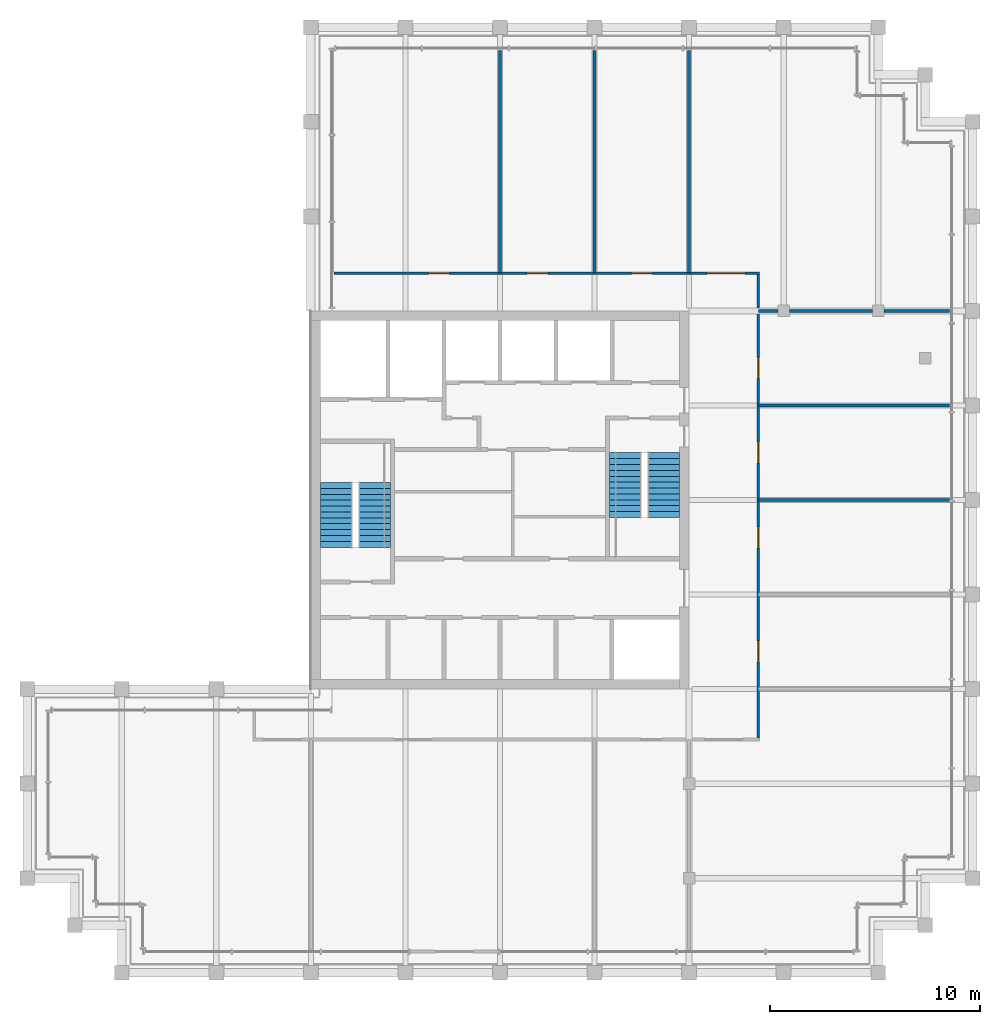
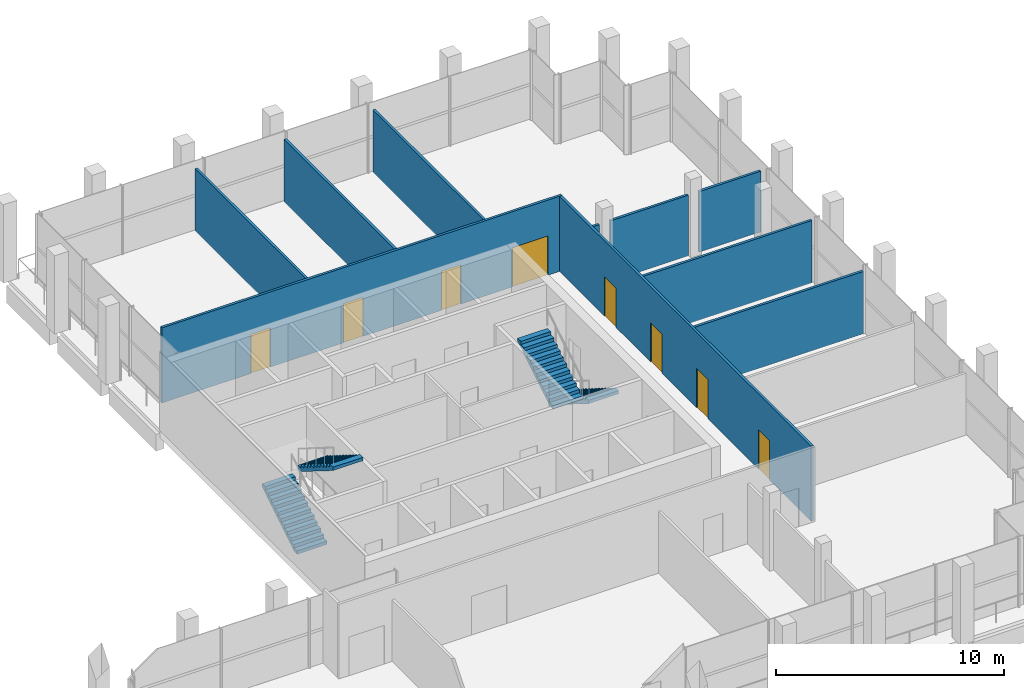
# One storey, part 16 of 17: 10 walls, 8 doors, 4 stair flights, 8 openings, 2 elements without a shape of their own.
"""IFC4 building model written with IfcOpenShell, lengths in metres."""

import ifcopenshell
import ifcopenshell.guid

model = None  # the IFC model being written
_history = None  # IfcOwnerHistory: only IFC2X3 demands one
_inside = {}  # id of a spatial element -> (the spatial element, [elements in it])
_under = {}  # id of a project, library or spatial element -> (it, [spatial elements below it])
_declared = {}  # id of a project -> (the project, [libraries it declares])
_typed = {}  # id of a type object -> (the type object, [elements of that type])
_made_of = {}  # id of a material, layer set ... -> (it, [elements and type objects made of it])


def new_model(schema):
    """Start an empty IFC model of exactly this schema.

    Asked for "IFC4X3", IfcOpenShell would pick the latest addendum, in which some entities
    have other attributes; the version numbers below select the first issue.
    IFC2X3 requires an IfcOwnerHistory on every rooted entity: one is made here for all.
    """
    global model, _history
    if schema == "IFC4X3":
        model = ifcopenshell.file(schema_version=(4, 3, 0, 0))
    else:
        model = ifcopenshell.file(schema=schema)
    _inside.clear()
    _under.clear()
    _declared.clear()
    _typed.clear()
    _made_of.clear()
    _history = None
    if model.schema == "IFC2X3":
        org = make("IfcOrganization", Name="unknown")
        user = make(
            "IfcPersonAndOrganization",
            ThePerson=make("IfcPerson", FamilyName="unknown"),
            TheOrganization=org,
        )
        app = make(
            "IfcApplication",
            ApplicationDeveloper=org,
            Version="unknown",
            ApplicationFullName="unknown",
            ApplicationIdentifier="unknown",
        )
        _history = make(
            "IfcOwnerHistory",
            OwningUser=user,
            OwningApplication=app,
            ChangeAction="ADDED",
            CreationDate=0,
        )
    return model


def make(cls, **values):
    """One entity of the class cls with the attributes given. An attribute that is None is left unset."""
    return model.create_entity(
        cls, **{name: value for name, value in values.items() if value is not None}
    )


def rooted(cls, **values):
    """An entity with a GlobalId (a new one), such as an element, a storey or a relation."""
    return make(cls, GlobalId=ifcopenshell.guid.new(), OwnerHistory=_history, **values)


def si_unit(unit_type, name, prefix=None):
    """IfcSIUnit, for example si_unit("LENGTHUNIT", "METRE", prefix="MILLI")."""
    return make("IfcSIUnit", UnitType=unit_type, Prefix=prefix, Name=name)


def assignment(units):
    """IfcUnitAssignment: the units of a project."""
    return None if units is None else make("IfcUnitAssignment", Units=units)


def point(xyz):
    """IfcCartesianPoint."""
    return None if xyz is None else make("IfcCartesianPoint", Coordinates=xyz)


def direction(xyz):
    """IfcDirection."""
    return None if xyz is None else make("IfcDirection", DirectionRatios=xyz)


def frame(location, z_axis=None, x_axis=None):
    """IfcAxis2Placement3D, a coordinate frame: its origin and axes. An axis left out is left unset."""
    return make(
        "IfcAxis2Placement3D",
        Location=point(location),
        Axis=direction(z_axis),
        RefDirection=direction(x_axis),
    )


def frame_2d(location, x_axis=None):
    """IfcAxis2Placement2D, a coordinate frame in the plane: its origin and x axis."""
    return make(
        "IfcAxis2Placement2D", Location=point(location), RefDirection=direction(x_axis)
    )


def origin():
    """The frame at (0, 0, 0) with its axes left unset."""
    return frame((0.0, 0.0, 0.0))


def place(relative_to, where):
    """IfcLocalPlacement: puts the frame where relative to a parent placement (None: the world)."""
    return make(
        "IfcLocalPlacement", PlacementRelTo=relative_to, RelativePlacement=where
    )


def context(
    kind, dimensions, precision=None, world=None, true_north=None, identifier=None
):
    """IfcGeometricRepresentationContext, for example the 3D "Model" context."""
    return make(
        "IfcGeometricRepresentationContext",
        ContextIdentifier=identifier,
        ContextType=kind,
        CoordinateSpaceDimension=dimensions,
        Precision=precision,
        WorldCoordinateSystem=world,
        TrueNorth=true_north,
    )


def subcontext(parent, identifier, kind, view, scale=None):
    """IfcGeometricRepresentationSubContext, for example "Body" below "Model"."""
    return make(
        "IfcGeometricRepresentationSubContext",
        ContextIdentifier=identifier,
        ContextType=kind,
        ParentContext=parent,
        TargetScale=scale,
        TargetView=view,
    )


def project(units=None, contexts=None):
    """IfcProject with its units and contexts."""
    return rooted(
        "IfcProject",
        Name="project",
        RepresentationContexts=contexts,
        UnitsInContext=assignment(units),
    )


def spatial(cls, under=None, at=None, **own):
    """A site, building, storey or space (cls), placed at a placement, below another one or the project."""
    s = rooted(cls, ObjectPlacement=at, **own)
    if under is not None:
        _under.setdefault(under.id(), (under, []))[1].append(s)
    return s


def polyline(points):
    """IfcPolyline through the points."""
    return make("IfcPolyline", Points=[point(p) for p in points])


def profile(cls, at=None, kind="AREA", **sizes):
    """A parametric profile (cls). Its sizes go by their IFC names, for example OverallWidth=200.0."""
    return make(cls, ProfileType=kind, Position=at, **sizes)


def rectangle(**sizes):
    """IfcRectangleProfileDef."""
    return profile("IfcRectangleProfileDef", **sizes)


def outline(outer, holes=None, kind="AREA"):
    """IfcArbitraryClosedProfileDef: a profile drawn as a closed curve; with holes, ...WithVoids."""
    if holes is None:
        return make("IfcArbitraryClosedProfileDef", ProfileType=kind, OuterCurve=outer)
    return make(
        "IfcArbitraryProfileDefWithVoids",
        ProfileType=kind,
        OuterCurve=outer,
        InnerCurves=holes,
    )


def extrude(swept, where, along, depth):
    """IfcExtrudedAreaSolid: the profile swept, set in the frame where, extruded along a direction by depth."""
    return make(
        "IfcExtrudedAreaSolid",
        SweptArea=swept,
        Position=where,
        ExtrudedDirection=direction(along),
        Depth=depth,
    )


def shape(context_of_items, identifier, shape_type, items):
    """IfcShapeRepresentation: the items that make up one representation, for example the "Body"."""
    return make(
        "IfcShapeRepresentation",
        ContextOfItems=context_of_items,
        RepresentationIdentifier=identifier,
        RepresentationType=shape_type,
        Items=items,
    )


def material(Name=None, Category=None):
    """IfcMaterial."""
    return make("IfcMaterial", Name=Name, Category=Category)


def layer(
    of_material, thickness, ventilated=None, Name=None, Category=None, Priority=None
):
    """IfcMaterialLayer: one layer of a wall or slab, of a material (None: an air gap)."""
    return make(
        "IfcMaterialLayer",
        Material=of_material,
        LayerThickness=thickness,
        IsVentilated=ventilated,
        Name=Name,
        Category=Category,
        Priority=Priority,
    )


def layer_set(layers, Name=None):
    """IfcMaterialLayerSet."""
    return make("IfcMaterialLayerSet", MaterialLayers=layers, LayerSetName=Name)


def made_of(thing, what):
    """Note that an element or type object is made of a material, layer set ...; save() writes the relation."""
    if what is not None:
        _made_of.setdefault(what.id(), (what, []))[1].append(thing)
    return thing


def type_object(cls, material=None, **own):
    """A type object (cls), such as IfcWallType, which elements share."""
    return made_of(rooted(cls, **own), material)


def element(
    cls,
    number,
    at=None,
    inside=None,
    cuts=None,
    type_object=None,
    material=None,
    context=None,
    identifier="Body",
    shape_type=None,
    held_by="IfcProductDefinitionShape",
    body=None,
    shapes=None,
    **own,
):
    """One element of the class cls, such as IfcWall. Its Tag is "e" and its number.

    at: its placement. inside: the storey or other place that contains it. cuts: it is an
    opening in that element (IfcRelVoidsElement). A single representation is given by context,
    identifier, shape_type and body (its items); several are given by shapes. held_by: the class
    of the entity that holds the representations. save() writes the other relations.
    """
    e = rooted(cls, Tag="e%d" % number, ObjectPlacement=at, **own)
    if body is not None:
        shapes = [shape(context, identifier, shape_type, body)]
    if shapes is not None:
        e.Representation = make(held_by, Representations=shapes)
    if inside is not None:
        _inside.setdefault(inside.id(), (inside, []))[1].append(e)
    if cuts is not None:
        rooted(
            "IfcRelVoidsElement", RelatingBuildingElement=cuts, RelatedOpeningElement=e
        )
    if type_object is not None:
        _typed.setdefault(type_object.id(), (type_object, []))[1].append(e)
    return made_of(e, material)


def fill(opening, filler):
    """IfcRelFillsElement: the door or window that sits in an opening."""
    return rooted(
        "IfcRelFillsElement",
        RelatingOpeningElement=opening,
        RelatedBuildingElement=filler,
    )


def aggregate(whole, parts):
    """IfcRelAggregates: a whole, such as a stair, and the parts it consists of."""
    return rooted("IfcRelAggregates", RelatingObject=whole, RelatedObjects=parts)


def save(model, path):
    """Write the relations noted so far, then the file.

    IfcRelAggregates (storeys below a building ...), IfcRelContainedInSpatialStructure (elements
    in a storey), IfcRelDefinesByType, IfcRelAssociatesMaterial and IfcRelDeclares: one each for
    every whole, place, type object, material and project.
    """
    for whole, parts in _under.values():
        aggregate(whole, parts)
    for where, things in _inside.values():
        rooted(
            "IfcRelContainedInSpatialStructure",
            RelatedElements=things,
            RelatingStructure=where,
        )
    for kind, things in _typed.values():
        rooted("IfcRelDefinesByType", RelatedObjects=things, RelatingType=kind)
    for what, things in _made_of.values():
        rooted("IfcRelAssociatesMaterial", RelatedObjects=things, RelatingMaterial=what)
    for by, libraries in _declared.values():
        rooted("IfcRelDeclares", RelatingContext=by, RelatedDefinitions=libraries)
    model.write(path)


model = new_model("IFC4")

# Units and contexts
model_context = context("Model", 3, precision=1e-05, world=origin(), true_north=direction((0.0, 1.0)))
body_context = subcontext(model_context, "Body", "Model", "MODEL_VIEW")
ifc_project = project(units=[si_unit("LENGTHUNIT", "METRE"), si_unit("AREAUNIT", "SQUARE_METRE"), si_unit("VOLUMEUNIT", "CUBIC_METRE"), si_unit("PLANEANGLEUNIT", "RADIAN"), si_unit("MASSUNIT", "GRAM", prefix="KILO")], contexts=[model_context])

# Site, building, storey
site_placement = place(None, origin())
site = spatial("IfcSite", under=ifc_project, at=site_placement, CompositionType="ELEMENT")
building_placement = place(site_placement, origin())
building = spatial("IfcBuilding", under=site, at=building_placement, Name="Altepetl Exchange Towers", CompositionType="ELEMENT")
storey_placement = place(building_placement, frame((0.0, 0.0, 255.199951171875)))
storey = spatial("IfcBuildingStorey", under=building, at=storey_placement, Name="L65", CompositionType="ELEMENT", Elevation=255.199951171875)

# Walls
ifc_material_1 = material(Name="Timber panels on aluminium track", Category="wood")
ifc_layer_1 = layer(ifc_material_1, 0.125)
ifc_layer_set_1 = layer_set([ifc_layer_1], Name="Timber panels on aluminium track")
wall_type_1 = type_object("IfcWallType", Name="Operable acoustic partition 125", PredefinedType="MOVABLE", material=ifc_layer_set_1)
wall_1_placement = place(storey_placement, frame((54.0, 60.300048828125, 0.0), z_axis=(0.0, 0.0, 1.0), x_axis=(0.0, 1.0, 0.0)))
element("IfcWall", 1, at=wall_1_placement, inside=storey, type_object=wall_type_1, Name="wall:A:L65:P14", PredefinedType="MOVABLE", context=body_context, shape_type="SweptSolid", body=[
    extrude(rectangle(XDim=10.599853515625, YDim=0.125, at=frame_2d((5.2998046875, 0.0))), origin(), (0.0, 0.0, 1.0), 3.341064453125),
])
ifc_material_2 = material(Name="Gypsum board on steel studs", Category="steel")
ifc_layer_2 = layer(ifc_material_2, 0.125)
ifc_layer_set_2 = layer_set([ifc_layer_2], Name="Gypsum board on steel studs")
wall_type_2 = type_object("IfcWallType", Name="Partition 125 gypsum board on steel studs", PredefinedType="PARTITIONING", material=ifc_layer_set_2)
for number, where, name in (
    (2, (61.800048828125, 49.5, 0.0), "wall:A:L65:P04"),
    (3, (61.800048828125, 54.0, 0.0), "wall:A:L65:P05"),
):
    element("IfcWall", number, at=place(storey_placement, frame(where)), inside=storey, type_object=wall_type_2, Name=name, PredefinedType="PARTITIONING", context=body_context, shape_type="SweptSolid", body=[
        extrude(rectangle(XDim=9.099853515625, YDim=0.125, at=frame_2d((4.5498046875, 0.0))), origin(), (0.0, 0.0, 1.0), 3.341064453125),
    ])
wall_2_placement = place(storey_placement, frame((61.800048828125, 58.5, 0.0)))
element("IfcWall", 4, at=wall_2_placement, inside=storey, type_object=wall_type_2, Name="wall:A:L65:P06", PredefinedType="PARTITIONING", context=body_context, shape_type="SweptSolid", body=[
    extrude(rectangle(XDim=0.925048828125, YDim=0.125, at=frame_2d((0.46240234375, 0.0))), origin(), (0.0, 0.0, 1.0), 3.2509765625),
])
wall_3_placement = place(storey_placement, frame((63.27490234375, 58.5, 0.0)))
element("IfcWall", 5, at=wall_3_placement, inside=storey, type_object=wall_type_2, Name="wall:A:L65:P07", PredefinedType="PARTITIONING", context=body_context, shape_type="SweptSolid", body=[
    extrude(rectangle(XDim=3.9501953125, YDim=0.125, at=frame_2d((1.97509765625, 0.0))), origin(), (0.0, 0.0, 1.0), 3.2509765625),
])
wall_4_placement = place(storey_placement, frame((67.77490234375, 58.5, 0.0)))
element("IfcWall", 6, at=wall_4_placement, inside=storey, type_object=wall_type_2, Name="wall:A:L65:P08", PredefinedType="PARTITIONING", context=body_context, shape_type="SweptSolid", body=[
    extrude(rectangle(XDim=3.125, YDim=0.125, at=frame_2d((1.5625, 0.0))), origin(), (0.0, 0.0, 1.0), 3.2509765625),
])

# Wall, openings, doors
wall_5_placement = place(storey_placement, frame((41.60009765625, 60.300048828125, 0.0)))
wall_5 = element("IfcWall", 7, at=wall_5_placement, inside=storey, type_object=wall_type_2, Name="wall:A:L65:P09", PredefinedType="PARTITIONING", context=body_context, shape_type="SweptSolid", body=[
    extrude(rectangle(XDim=20.262451171875, YDim=0.125, at=frame_2d((10.13134765625, 0.0))), origin(), (0.0, 0.0, 1.0), 4.025146484375),
])
opening_1_placement = place(wall_5_placement, frame((17.7548828125, 0.0, 0.0)))
opening_1 = element("IfcOpeningElement", 8, at=opening_1_placement, cuts=wall_5, Name="Opening L65.A09", PredefinedType="OPENING", context=body_context, shape_type="SweptSolid", body=[
    extrude(rectangle(XDim=1.800048828125, YDim=2.10009765625, at=frame_2d((0.89990234375, 1.050048828125))), frame((0.0, 0.072509765625, 0.0), z_axis=(0.0, -1.0, 0.0), x_axis=(1.0, 0.0, 0.0)), (0.0, 0.0, 1.0), 0.14501953125),
])
opening_2_placement = place(wall_5_placement, frame((14.14990234375, 0.0, 0.0)))
opening_2 = element("IfcOpeningElement", 9, at=opening_2_placement, cuts=wall_5, Name="Opening L65.A10", PredefinedType="OPENING", context=body_context, shape_type="SweptSolid", body=[
    extrude(rectangle(XDim=1.0, YDim=2.10009765625, at=frame_2d((0.5, 1.050048828125))), frame((0.0, 0.072509765625, 0.0), z_axis=(0.0, -1.0, 0.0), x_axis=(1.0, 0.0, 0.0)), (0.0, 0.0, 1.0), 0.14501953125),
])
opening_3_placement = place(wall_5_placement, frame((9.195068359375, 0.0, 0.0)))
opening_3 = element("IfcOpeningElement", 10, at=opening_3_placement, cuts=wall_5, Name="Opening L65.A11", PredefinedType="OPENING", context=body_context, shape_type="SweptSolid", body=[
    extrude(rectangle(XDim=1.0, YDim=2.10009765625, at=frame_2d((0.5, 1.050048828125))), frame((0.0, 0.072509765625, 0.0), z_axis=(0.0, -1.0, 0.0), x_axis=(1.0, 0.0, 0.0)), (0.0, 0.0, 1.0), 0.14501953125),
])
opening_4_placement = place(wall_5_placement, frame((4.5, 0.0, 0.0)))
opening_4 = element("IfcOpeningElement", 11, at=opening_4_placement, cuts=wall_5, Name="Opening L65.A12", PredefinedType="OPENING", context=body_context, shape_type="SweptSolid", body=[
    extrude(rectangle(XDim=1.0, YDim=2.10009765625, at=frame_2d((0.5, 1.050048828125))), frame((0.0, 0.072509765625, 0.0), z_axis=(0.0, -1.0, 0.0), x_axis=(1.0, 0.0, 0.0)), (0.0, 0.0, 1.0), 0.14501953125),
])
ifc_material_3 = material(Name="Steel and timber fire door", Category="steel")
door_type_1 = type_object("IfcDoorType", Name="Fire door 1000 x 2100 single leaf", OperationType="SINGLE_SWING_LEFT", PredefinedType="DOOR", material=ifc_material_3)
door_1_placement = place(opening_2_placement, origin())
door_1 = element("IfcDoor", 12, at=door_1_placement, inside=storey, type_object=door_type_1, Name="door:A:L65:10", OperationType="SINGLE_SWING_LEFT", OverallHeight=2.10009765625, OverallWidth=1.0, PredefinedType="DOOR", context=body_context, shape_type="SweptSolid", body=[
    extrude(rectangle(XDim=1.0, YDim=2.10009765625, at=frame_2d((0.5, 1.050048828125))), frame((0.0, 0.02490234375, 0.0), z_axis=(0.0, -1.0, 0.0), x_axis=(1.0, 0.0, 0.0)), (0.0, 0.0, 1.0), 0.050048828125),
])
fill(opening_2, door_1)
door_2_placement = place(opening_3_placement, origin())
door_2 = element("IfcDoor", 13, at=door_2_placement, inside=storey, type_object=door_type_1, Name="door:A:L65:11", OperationType="SINGLE_SWING_RIGHT", OverallHeight=2.10009765625, OverallWidth=1.0, PredefinedType="DOOR", context=body_context, shape_type="SweptSolid", body=[
    extrude(rectangle(XDim=1.0, YDim=2.10009765625, at=frame_2d((0.5, 1.050048828125))), frame((0.0, 0.02490234375, 0.0), z_axis=(0.0, -1.0, 0.0), x_axis=(1.0, 0.0, 0.0)), (0.0, 0.0, 1.0), 0.050048828125),
])
fill(opening_3, door_2)
door_3_placement = place(opening_4_placement, origin())
door_3 = element("IfcDoor", 14, at=door_3_placement, inside=storey, type_object=door_type_1, Name="door:A:L65:12", OperationType="SINGLE_SWING_LEFT", OverallHeight=2.10009765625, OverallWidth=1.0, PredefinedType="DOOR", context=body_context, shape_type="SweptSolid", body=[
    extrude(rectangle(XDim=1.0, YDim=2.10009765625, at=frame_2d((0.5, 1.050048828125))), frame((0.0, 0.02490234375, 0.0), z_axis=(0.0, -1.0, 0.0), x_axis=(1.0, 0.0, 0.0)), (0.0, 0.0, 1.0), 0.050048828125),
])
fill(opening_4, door_3)
door_type_2 = type_object("IfcDoorType", Name="Fire door 1800 x 2100 double leaf", OperationType="DOUBLE_DOOR_SINGLE_SWING", PredefinedType="DOOR", material=ifc_material_3)
door_4_placement = place(opening_1_placement, origin())
door_4 = element("IfcDoor", 15, at=door_4_placement, inside=storey, type_object=door_type_2, Name="door:A:L65:09", OperationType="DOUBLE_DOOR_SINGLE_SWING", OverallHeight=2.10009765625, OverallWidth=1.800048828125, PredefinedType="DOOR", context=body_context, shape_type="SweptSolid", body=[
    extrude(rectangle(XDim=1.800048828125, YDim=2.10009765625, at=frame_2d((0.89990234375, 1.050048828125))), frame((0.0, 0.02490234375, 0.0), z_axis=(0.0, -1.0, 0.0), x_axis=(1.0, 0.0, 0.0)), (0.0, 0.0, 1.0), 0.050048828125),
])
fill(opening_1, door_4)

# Walls
for number, where, z_axis, x_axis, name in (
    (16, (49.5, 60.300048828125, 0.0), (0.0, 0.0, 1.0), (0.0, 1.0, 0.0), "wall:A:L65:P12"),
    (17, (58.5, 60.300048828125, 0.0), (0.0, 0.0, 1.0), (0.0, 1.0, 0.0), "wall:A:L65:P18"),
):
    element("IfcWall", number, at=place(storey_placement, frame(where, z_axis=z_axis, x_axis=x_axis)), inside=storey, type_object=wall_type_2, Name=name, PredefinedType="PARTITIONING", context=body_context, shape_type="SweptSolid", body=[
        extrude(rectangle(XDim=10.599853515625, YDim=0.125, at=frame_2d((5.2998046875, 0.0))), origin(), (0.0, 0.0, 1.0), 3.341064453125),
    ])

# Wall, openings, doors
wall_6_placement = place(storey_placement, frame((61.800048828125, 38.16259765625, 0.0), z_axis=(0.0, 0.0, 1.0), x_axis=(0.0, 1.0, 0.0)))
wall_6 = element("IfcWall", 18, at=wall_6_placement, inside=storey, type_object=wall_type_2, Name="wall:A:L65:P19", PredefinedType="PARTITIONING", context=body_context, shape_type="SweptSolid", body=[
    extrude(rectangle(XDim=22.074951171875, YDim=0.125, at=frame_2d((11.03759765625, 0.0))), origin(), (0.0, 0.0, 1.0), 4.025146484375),
])
opening_5_placement = place(wall_6_placement, frame((3.632568359375, 0.0, 0.0)))
opening_5 = element("IfcOpeningElement", 19, at=opening_5_placement, cuts=wall_6, Name="Opening L65.A05", PredefinedType="OPENING", context=body_context, shape_type="SweptSolid", body=[
    extrude(rectangle(XDim=1.0, YDim=2.10009765625, at=frame_2d((0.5, 1.050048828125))), frame((0.0, 0.072509765625, 0.0), z_axis=(0.0, -1.0, 0.0), x_axis=(1.0, 0.0, 0.0)), (0.0, 0.0, 1.0), 0.14501953125),
])
opening_6_placement = place(wall_6_placement, frame((9.04248046875, 0.0, 0.0)))
opening_6 = element("IfcOpeningElement", 20, at=opening_6_placement, cuts=wall_6, Name="Opening L65.A06", PredefinedType="OPENING", context=body_context, shape_type="SweptSolid", body=[
    extrude(rectangle(XDim=1.0, YDim=2.10009765625, at=frame_2d((0.5, 1.050048828125))), frame((0.0, 0.072509765625, 0.0), z_axis=(0.0, -1.0, 0.0), x_axis=(1.0, 0.0, 0.0)), (0.0, 0.0, 1.0), 0.14501953125),
])
opening_7_placement = place(wall_6_placement, frame((13.08740234375, 0.0, 0.0)))
opening_7 = element("IfcOpeningElement", 21, at=opening_7_placement, cuts=wall_6, Name="Opening L65.A07", PredefinedType="OPENING", context=body_context, shape_type="SweptSolid", body=[
    extrude(rectangle(XDim=1.0, YDim=2.10009765625, at=frame_2d((0.5, 1.050048828125))), frame((0.0, 0.072509765625, 0.0), z_axis=(0.0, -1.0, 0.0), x_axis=(1.0, 0.0, 0.0)), (0.0, 0.0, 1.0), 0.14501953125),
])
opening_8_placement = place(wall_6_placement, frame((17.132568359375, 0.0, 0.0)))
opening_8 = element("IfcOpeningElement", 22, at=opening_8_placement, cuts=wall_6, Name="Opening L65.A08", PredefinedType="OPENING", context=body_context, shape_type="SweptSolid", body=[
    extrude(rectangle(XDim=1.0, YDim=2.10009765625, at=frame_2d((0.5, 1.050048828125))), frame((0.0, 0.072509765625, 0.0), z_axis=(0.0, -1.0, 0.0), x_axis=(1.0, 0.0, 0.0)), (0.0, 0.0, 1.0), 0.14501953125),
])
door_5_placement = place(opening_5_placement, frame((1.0, 0.0, 0.0), x_axis=(-1.0, 0.0, 0.0)))
door_5 = element("IfcDoor", 23, at=door_5_placement, inside=storey, type_object=door_type_1, Name="door:A:L65:05", OperationType="SINGLE_SWING_LEFT", OverallHeight=2.10009765625, OverallWidth=1.0, PredefinedType="DOOR", context=body_context, shape_type="SweptSolid", body=[
    extrude(rectangle(XDim=1.0, YDim=2.10009765625, at=frame_2d((0.5, 1.050048828125))), frame((0.0, 0.02490234375, 0.0), z_axis=(0.0, -1.0, 0.0), x_axis=(1.0, 0.0, 0.0)), (0.0, 0.0, 1.0), 0.050048828125),
])
fill(opening_5, door_5)
door_6_placement = place(opening_6_placement, frame((1.0, 0.0, 0.0), x_axis=(-1.0, 0.0, 0.0)))
door_6 = element("IfcDoor", 24, at=door_6_placement, inside=storey, type_object=door_type_1, Name="door:A:L65:06", OperationType="SINGLE_SWING_RIGHT", OverallHeight=2.10009765625, OverallWidth=1.0, PredefinedType="DOOR", context=body_context, shape_type="SweptSolid", body=[
    extrude(rectangle(XDim=1.0, YDim=2.10009765625, at=frame_2d((0.5, 1.050048828125))), frame((0.0, 0.02490234375, 0.0), z_axis=(0.0, -1.0, 0.0), x_axis=(1.0, 0.0, 0.0)), (0.0, 0.0, 1.0), 0.050048828125),
])
fill(opening_6, door_6)
door_7_placement = place(opening_7_placement, frame((1.0, 0.0, 0.0), x_axis=(-1.0, 0.0, 0.0)))
door_7 = element("IfcDoor", 25, at=door_7_placement, inside=storey, type_object=door_type_1, Name="door:A:L65:07", OperationType="SINGLE_SWING_LEFT", OverallHeight=2.10009765625, OverallWidth=1.0, PredefinedType="DOOR", context=body_context, shape_type="SweptSolid", body=[
    extrude(rectangle(XDim=1.0, YDim=2.10009765625, at=frame_2d((0.5, 1.050048828125))), frame((0.0, 0.02490234375, 0.0), z_axis=(0.0, -1.0, 0.0), x_axis=(1.0, 0.0, 0.0)), (0.0, 0.0, 1.0), 0.050048828125),
])
fill(opening_7, door_7)
door_8_placement = place(opening_8_placement, frame((1.0, 0.0, 0.0), x_axis=(-1.0, 0.0, 0.0)))
door_8 = element("IfcDoor", 26, at=door_8_placement, inside=storey, type_object=door_type_1, Name="door:A:L65:08", OperationType="SINGLE_SWING_RIGHT", OverallHeight=2.10009765625, OverallWidth=1.0, PredefinedType="DOOR", context=body_context, shape_type="SweptSolid", body=[
    extrude(rectangle(XDim=1.0, YDim=2.10009765625, at=frame_2d((0.5, 1.050048828125))), frame((0.0, 0.02490234375, 0.0), z_axis=(0.0, -1.0, 0.0), x_axis=(1.0, 0.0, 0.0)), (0.0, 0.0, 1.0), 0.050048828125),
])
fill(opening_8, door_8)

# Stair, stair flights
ifc_material_4 = material(Name="Concrete C40/50", Category="concrete")
stair_type = type_object("IfcStairType", Name="Exit stair 1520 flights dogleg", PredefinedType="HALF_TURN_STAIR", material=ifc_material_4)
stair_1_placement = place(storey_placement, origin())
stair_1 = element("IfcStair", 27, at=stair_1_placement, inside=storey, type_object=stair_type, Name="Exit stair 1", PredefinedType="HALF_TURN_STAIR")
stair_flight_type = type_object("IfcStairFlightType", Name="Stair flight 1520 wide", PredefinedType="STRAIGHT", material=ifc_material_4)
stair_flight_1_placement = place(storey_placement, frame((41.7099609375, 47.25, 0.0), z_axis=(0.0, 0.0, 1.0), x_axis=(0.0, 1.0, 0.0)))
stair_flight_1 = element("IfcStairFlight", 28, at=stair_flight_1_placement, type_object=stair_flight_type, Name="ST-A1h flight 1", NumberOfRisers=12, NumberOfTreads=11, PredefinedType="STRAIGHT", RiserHeight=0.175, TreadLength=0.28, context=body_context, shape_type="SweptSolid", body=[
    extrude(outline(polyline([(0.0, 0.0), (0.0, 0.175048828125), (0.280029296875, 0.175048828125), (0.280029296875, 0.35009765625), (0.56005859375, 0.35009765625), (0.56005859375, 0.52490234375), (0.840087890625, 0.52490234375), (0.840087890625, 0.699951171875), (1.1201171875, 0.699951171875), (1.1201171875, 0.875), (1.39990234375, 0.875), (1.39990234375, 1.050048828125), (1.679931640625, 1.050048828125), (1.679931640625, 1.22509765625), (1.9599609375, 1.22509765625), (1.9599609375, 1.39990234375), (2.239990234375, 1.39990234375), (2.239990234375, 1.574951171875), (2.52001953125, 1.574951171875), (2.52001953125, 1.75), (2.800048828125, 1.75), (2.800048828125, 1.925048828125), (3.080078125, 1.925048828125), (3.080078125, 2.10009765625), (3.080078125, 1.748291015625), (0.28271484375, 0.0), (0.0, 0.0)])), frame((0.0, 0.760009765625, 0.0), z_axis=(0.0, -1.0, 0.0), x_axis=(1.0, 0.0, 0.0)), (0.0, 0.0, 1.0), 1.52001953125),
])
stair_flight_2_placement = place(storey_placement, frame((43.52001953125, 50.330078125, 2.10009765625), z_axis=(0.0, 0.0, 1.0), x_axis=(0.0, -1.0, 0.0)))
stair_flight_2 = element("IfcStairFlight", 29, at=stair_flight_2_placement, type_object=stair_flight_type, Name="ST-A1h flight 2", NumberOfRisers=12, NumberOfTreads=11, PredefinedType="STRAIGHT", RiserHeight=0.175, TreadLength=0.28, context=body_context, shape_type="SweptSolid", body=[
    extrude(outline(polyline([(0.0, 0.0), (0.0, 0.175048828125), (0.280029296875, 0.175048828125), (0.280029296875, 0.35009765625), (0.56005859375, 0.35009765625), (0.56005859375, 0.52490234375), (0.840087890625, 0.52490234375), (0.840087890625, 0.699951171875), (1.1201171875, 0.699951171875), (1.1201171875, 0.875), (1.39990234375, 0.875), (1.39990234375, 1.050048828125), (1.679931640625, 1.050048828125), (1.679931640625, 1.22509765625), (1.9599609375, 1.22509765625), (1.9599609375, 1.39990234375), (2.239990234375, 1.39990234375), (2.239990234375, 1.574951171875), (2.52001953125, 1.574951171875), (2.52001953125, 1.75), (2.800048828125, 1.75), (2.800048828125, 1.925048828125), (3.080078125, 1.925048828125), (3.080078125, 2.10009765625), (3.080078125, 1.748291015625), (0.28271484375, 0.0), (0.0, 0.0)])), frame((0.0, 0.760009765625, 0.0), z_axis=(0.0, -1.0, 0.0), x_axis=(1.0, 0.0, 0.0)), (0.0, 0.0, 1.0), 1.52001953125),
])
aggregate(stair_1, [stair_flight_1, stair_flight_2])

stair_2_placement = place(storey_placement, origin())
stair_2 = element("IfcStair", 30, at=stair_2_placement, inside=storey, type_object=stair_type, Name="Exit stair 2", PredefinedType="HALF_TURN_STAIR")
stair_flight_3_placement = place(storey_placement, frame((57.2900390625, 51.75, 0.0), z_axis=(0.0, 0.0, 1.0), x_axis=(0.0, -1.0, 0.0)))
stair_flight_3 = element("IfcStairFlight", 31, at=stair_flight_3_placement, type_object=stair_flight_type, Name="ST-A2h flight 1", NumberOfRisers=12, NumberOfTreads=11, PredefinedType="STRAIGHT", RiserHeight=0.175, TreadLength=0.28, context=body_context, shape_type="SweptSolid", body=[
    extrude(outline(polyline([(0.0, 0.0), (0.0, 0.175048828125), (0.280029296875, 0.175048828125), (0.280029296875, 0.35009765625), (0.56005859375, 0.35009765625), (0.56005859375, 0.52490234375), (0.840087890625, 0.52490234375), (0.840087890625, 0.699951171875), (1.1201171875, 0.699951171875), (1.1201171875, 0.875), (1.39990234375, 0.875), (1.39990234375, 1.050048828125), (1.679931640625, 1.050048828125), (1.679931640625, 1.22509765625), (1.9599609375, 1.22509765625), (1.9599609375, 1.39990234375), (2.239990234375, 1.39990234375), (2.239990234375, 1.574951171875), (2.52001953125, 1.574951171875), (2.52001953125, 1.75), (2.800048828125, 1.75), (2.800048828125, 1.925048828125), (3.080078125, 1.925048828125), (3.080078125, 2.10009765625), (3.080078125, 1.748291015625), (0.28271484375, 0.0), (0.0, 0.0)])), frame((0.0, 0.760009765625, 0.0), z_axis=(0.0, -1.0, 0.0), x_axis=(1.0, 0.0, 0.0)), (0.0, 0.0, 1.0), 1.52001953125),
])
stair_flight_4_placement = place(storey_placement, frame((55.47998046875, 48.669921875, 2.10009765625), z_axis=(0.0, 0.0, 1.0), x_axis=(0.0, 1.0, 0.0)))
stair_flight_4 = element("IfcStairFlight", 32, at=stair_flight_4_placement, type_object=stair_flight_type, Name="ST-A2h flight 2", NumberOfRisers=12, NumberOfTreads=11, PredefinedType="STRAIGHT", RiserHeight=0.175, TreadLength=0.28, context=body_context, shape_type="SweptSolid", body=[
    extrude(outline(polyline([(0.0, 0.0), (0.0, 0.175048828125), (0.280029296875, 0.175048828125), (0.280029296875, 0.35009765625), (0.56005859375, 0.35009765625), (0.56005859375, 0.52490234375), (0.840087890625, 0.52490234375), (0.840087890625, 0.699951171875), (1.1201171875, 0.699951171875), (1.1201171875, 0.875), (1.39990234375, 0.875), (1.39990234375, 1.050048828125), (1.679931640625, 1.050048828125), (1.679931640625, 1.22509765625), (1.9599609375, 1.22509765625), (1.9599609375, 1.39990234375), (2.239990234375, 1.39990234375), (2.239990234375, 1.574951171875), (2.52001953125, 1.574951171875), (2.52001953125, 1.75), (2.800048828125, 1.75), (2.800048828125, 1.925048828125), (3.080078125, 1.925048828125), (3.080078125, 2.10009765625), (3.080078125, 1.748291015625), (0.28271484375, 0.0), (0.0, 0.0)])), frame((0.0, 0.760009765625, 0.0), z_axis=(0.0, -1.0, 0.0), x_axis=(1.0, 0.0, 0.0)), (0.0, 0.0, 1.0), 1.52001953125),
])
aggregate(stair_2, [stair_flight_3, stair_flight_4])

save(model, "model.ifc")
